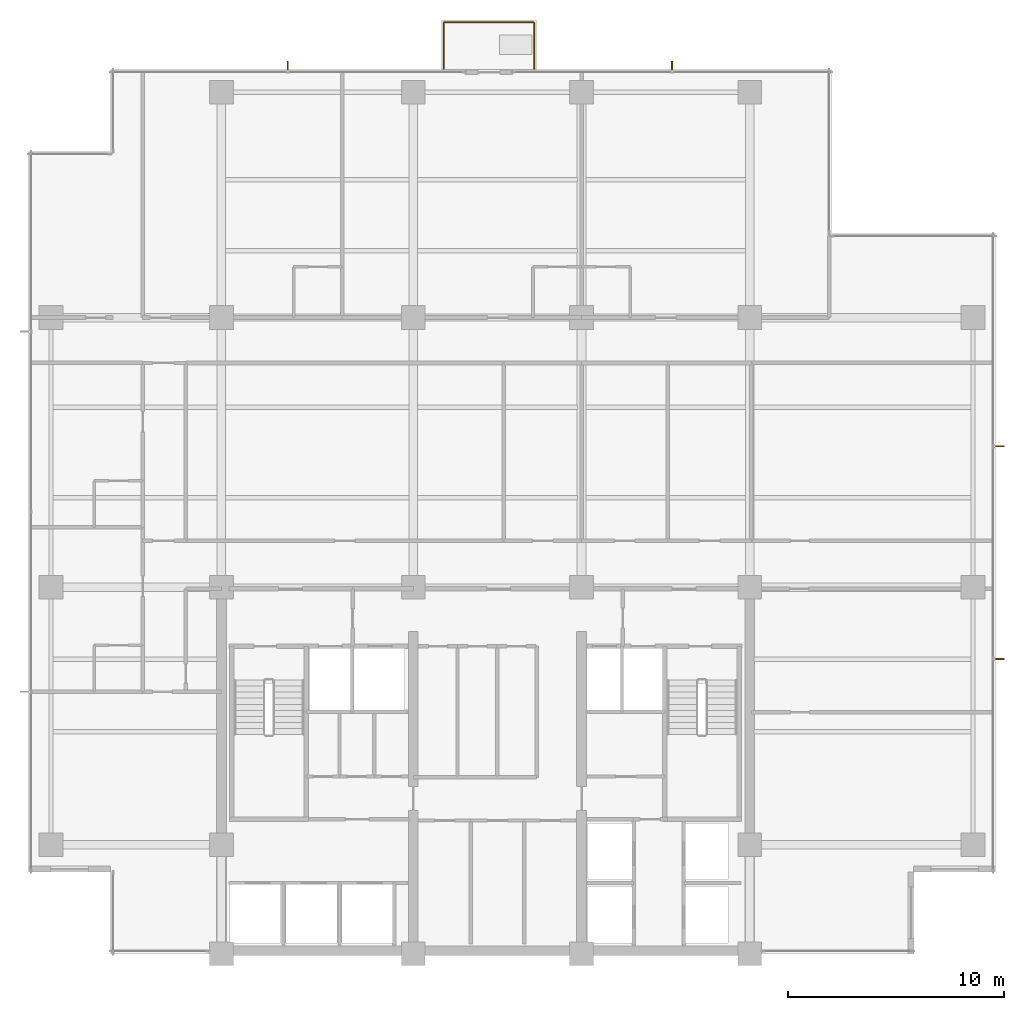
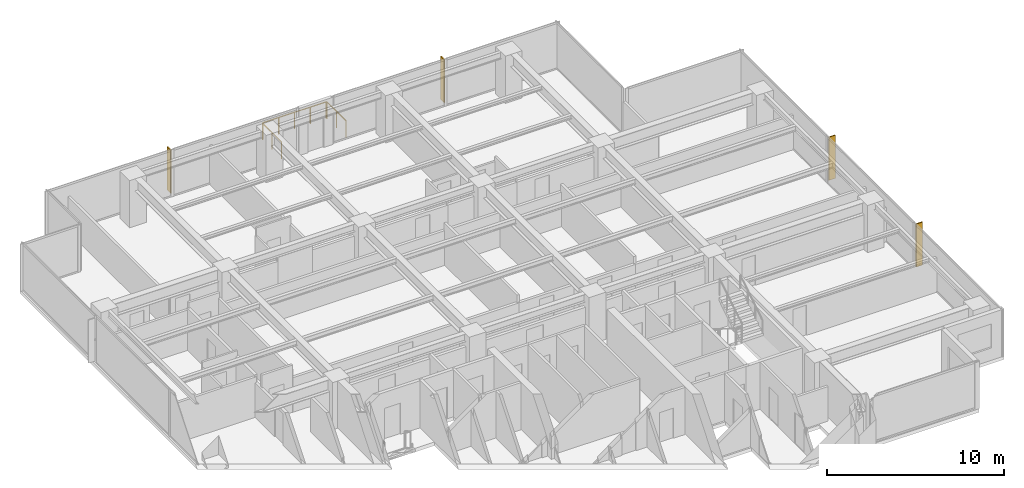
# One storey, part 15 of 15: 4 shading devices, 3 railings.
"""IFC4 building model written with IfcOpenShell, lengths in metres."""

from ifc_helpers import new_model, si_unit, direction, frame, origin, origin_2d, place, context, subcontext, project, spatial, polyline, circle, outline, extrude, material, layer, layer_set, type_object, element, save


model = new_model("IFC4")

# Units and contexts
model_context = context("Model", 3, precision=1e-05, world=origin(), true_north=direction((0.0, 1.0)))
body_context = subcontext(model_context, "Body", "Model", "MODEL_VIEW")
ifc_project = project(units=[si_unit("LENGTHUNIT", "METRE"), si_unit("AREAUNIT", "SQUARE_METRE"), si_unit("VOLUMEUNIT", "CUBIC_METRE"), si_unit("PLANEANGLEUNIT", "RADIAN"), si_unit("MASSUNIT", "GRAM", prefix="KILO")], contexts=[model_context])

# Site, building, storey
site_placement = place(None, origin())
site = spatial("IfcSite", under=ifc_project, at=site_placement, CompositionType="ELEMENT")
building_placement = place(site_placement, origin())
building = spatial("IfcBuilding", under=site, at=building_placement, Name="Qalmaran Belvedere Hotel", CompositionType="ELEMENT")
storey_placement = place(building_placement, frame((0.0, 0.0, 159.60009765625)))
storey = spatial("IfcBuildingStorey", under=building, at=storey_placement, Name="L40", CompositionType="ELEMENT", Elevation=159.60009765625)

# Shading devices
ifc_material = material(Name="Anodised Bronze Aluminium", Category="aluminium")
ifc_layer = layer(ifc_material, 0.06494140625, Name="Anodised Bronze Aluminium")
ifc_layer_set = layer_set([ifc_layer], Name="Anodised Bronze Aluminium")
shading_device_type = type_object("IfcShadingDeviceType", Name="FIN-BRNZ-420", PredefinedType="USERDEFINED", material=ifc_layer_set)
shading_device_1_placement = place(storey_placement, frame((0.0, 0.0, 0.159912109375)))
element("IfcShadingDevice", 1, at=shading_device_1_placement, inside=storey, type_object=shading_device_type, Name="L40 Bronze Fin 1", ObjectType="FIN", PredefinedType="USERDEFINED", context=body_context, shape_type="SweptSolid", body=[
    extrude(outline(polyline([(56.169921875, 17.13427734375), (56.590087890625, 17.13427734375), (56.590087890625, 17.19921875), (56.169921875, 17.19921875), (56.169921875, 17.13427734375)])), origin(), (0.0, 0.0, 1.0), 2.969970703125),
])
shading_device_2_placement = place(storey_placement, frame((0.0, 0.0, 0.159912109375)))
element("IfcShadingDevice", 2, at=shading_device_2_placement, inside=storey, type_object=shading_device_type, Name="L40 Bronze Fin 2", ObjectType="FIN", PredefinedType="USERDEFINED", context=body_context, shape_type="SweptSolid", body=[
    extrude(outline(polyline([(56.169921875, 27.000732421875), (56.590087890625, 27.000732421875), (56.590087890625, 27.06591796875), (56.169921875, 27.06591796875), (56.169921875, 27.000732421875)])), origin(), (0.0, 0.0, 1.0), 2.969970703125),
])
shading_device_3_placement = place(storey_placement, frame((0.0, 0.0, 0.159912109375)))
element("IfcShadingDevice", 3, at=shading_device_3_placement, inside=storey, type_object=shading_device_type, Name="L40 Bronze Fin 1", ObjectType="FIN", PredefinedType="USERDEFINED", context=body_context, shape_type="SweptSolid", body=[
    extrude(outline(polyline([(23.407470703125, 44.469970703125), (23.407470703125, 44.889892578125), (23.342529296875, 44.889892578125), (23.342529296875, 44.469970703125), (23.407470703125, 44.469970703125)])), origin(), (0.0, 0.0, 1.0), 2.969970703125),
])
shading_device_4_placement = place(storey_placement, frame((0.0, 0.0, 0.159912109375)))
element("IfcShadingDevice", 4, at=shading_device_4_placement, inside=storey, type_object=shading_device_type, Name="L40 Bronze Fin 1", ObjectType="FIN", PredefinedType="USERDEFINED", context=body_context, shape_type="SweptSolid", body=[
    extrude(outline(polyline([(41.232421875, 44.469970703125), (41.232421875, 44.889892578125), (41.16748046875, 44.889892578125), (41.16748046875, 44.469970703125), (41.232421875, 44.469970703125)])), origin(), (0.0, 0.0, 1.0), 2.969970703125),
])

# Railings
railing_type = type_object("IfcRailingType", Name="GRD-BAL-1150", PredefinedType="BALUSTRADE", material=ifc_material)
railing_1_placement = place(storey_placement, frame((30.60009765625, 44.534912109375, 0.0)))
element("IfcRailing", 5, at=railing_1_placement, inside=storey, type_object=railing_type, Name="L40 Guardrail BAL-L40-N-1", PredefinedType="BALUSTRADE", context=body_context, shape_type="SweptSolid", body=[
    extrude(circle(Radius=0.02392578125, at=origin_2d()), frame((0.0, 0.0, 1.1259765625), z_axis=(0.0, 1.0, 0.0), x_axis=(-1.0, 0.0, 0.0)), (0.0, 0.0, 1.0), 2.130126953125),
    extrude(circle(Radius=0.02099609375, at=origin_2d()), origin(), (0.0, 0.0, 1.0), 1.101806640625),
    extrude(circle(Radius=0.02099609375, at=origin_2d()), frame((0.0, 1.06494140625, 0.0)), (0.0, 0.0, 1.0), 1.101806640625),
    extrude(circle(Radius=0.02099609375, at=origin_2d()), frame((0.0, 2.130126953125, 0.0)), (0.0, 0.0, 1.0), 1.101806640625),
])
railing_2_placement = place(storey_placement, frame((30.635009765625, 46.699951171875, 0.0)))
element("IfcRailing", 6, at=railing_2_placement, inside=storey, type_object=railing_type, Name="L40 Guardrail BAL-L40-N-2", PredefinedType="BALUSTRADE", context=body_context, shape_type="SweptSolid", body=[
    extrude(circle(Radius=0.02392578125, at=origin_2d()), frame((0.0, 0.0, 1.1259765625), z_axis=(1.0, 0.0, 0.0), x_axis=(0.0, 1.0, 0.0)), (0.0, 0.0, 1.0), 4.1298828125),
    extrude(circle(Radius=0.02099609375, at=origin_2d()), origin(), (0.0, 0.0, 1.0), 1.101806640625),
    extrude(circle(Radius=0.02099609375, at=origin_2d()), frame((1.032470703125, 0.0, 0.0)), (0.0, 0.0, 1.0), 1.101806640625),
    extrude(circle(Radius=0.02099609375, at=origin_2d()), frame((2.06494140625, 0.0, 0.0)), (0.0, 0.0, 1.0), 1.101806640625),
    extrude(circle(Radius=0.02099609375, at=origin_2d()), frame((3.097412109375, 0.0, 0.0)), (0.0, 0.0, 1.0), 1.101806640625),
    extrude(circle(Radius=0.02099609375, at=origin_2d()), frame((4.1298828125, 0.0, 0.0)), (0.0, 0.0, 1.0), 1.101806640625),
])
railing_3_placement = place(storey_placement, frame((34.800048828125, 46.6650390625, 0.0)))
element("IfcRailing", 7, at=railing_3_placement, inside=storey, type_object=railing_type, Name="L40 Guardrail BAL-L40-N-3", PredefinedType="BALUSTRADE", context=body_context, shape_type="SweptSolid", body=[
    extrude(circle(Radius=0.02392578125, at=origin_2d()), frame((0.0, 0.0, 1.1259765625), z_axis=(0.0, -1.0, 0.0), x_axis=(1.0, 0.0, 0.0)), (0.0, 0.0, 1.0), 2.130126953125),
    extrude(circle(Radius=0.02099609375, at=origin_2d()), origin(), (0.0, 0.0, 1.0), 1.101806640625),
    extrude(circle(Radius=0.02099609375, at=origin_2d()), frame((0.0, -1.06494140625, 0.0)), (0.0, 0.0, 1.0), 1.101806640625),
    extrude(circle(Radius=0.02099609375, at=origin_2d()), frame((0.0, -2.130126953125, 0.0)), (0.0, 0.0, 1.0), 1.101806640625),
])

save(model, "model.ifc")
